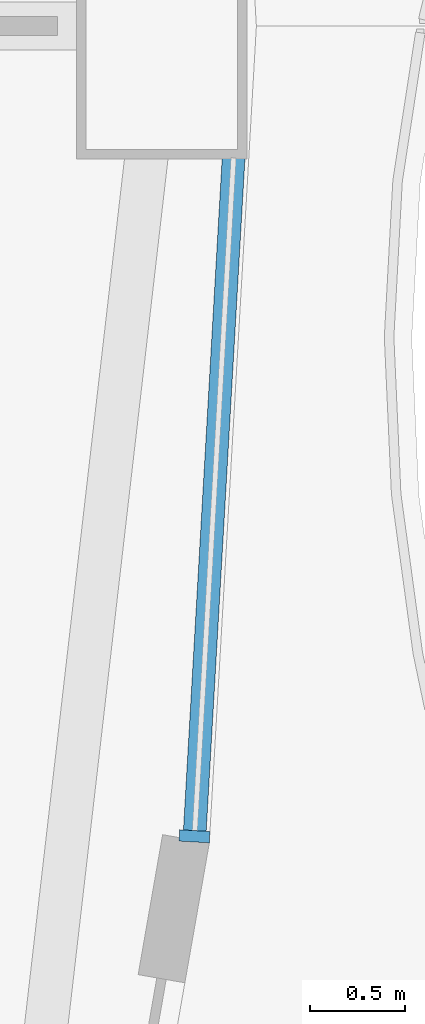
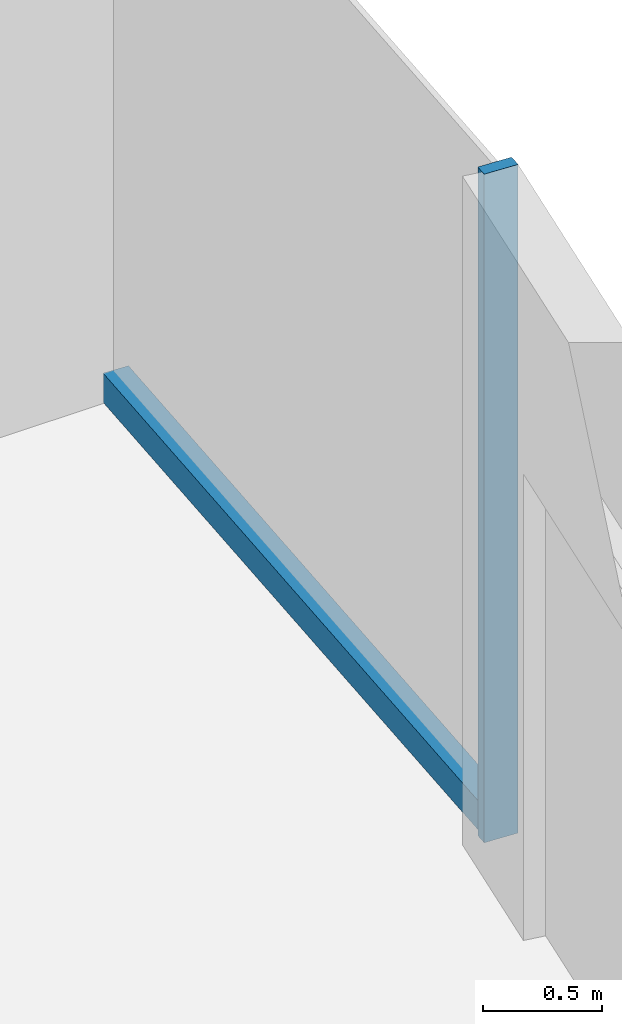
# One storey, part 6 of 22: 2 members, 1 element without a shape of its own.
"""IFC4 building model written with IfcOpenShell, lengths in metres."""

from ifc_helpers import new_model, si_unit, direction, frame, origin, origin_2d, place, context, subcontext, project, spatial, rectangle, extrude, material, layer, layer_set, material_profile, profile_set, type_object, element, aggregate, save


model = new_model("IFC4")

# Units and contexts
model_context = context("Model", 3, precision=1e-05, world=origin(), true_north=direction((0.0, 1.0)))
body_context = subcontext(model_context, "Body", "Model", "MODEL_VIEW")
ifc_project = project(units=[si_unit("LENGTHUNIT", "METRE"), si_unit("AREAUNIT", "SQUARE_METRE"), si_unit("VOLUMEUNIT", "CUBIC_METRE"), si_unit("PLANEANGLEUNIT", "RADIAN"), si_unit("MASSUNIT", "GRAM", prefix="KILO")], contexts=[model_context])

# Site, building, storey
site_placement = place(None, origin())
site = spatial("IfcSite", under=ifc_project, at=site_placement, CompositionType="ELEMENT")
building_placement = place(site_placement, origin())
building = spatial("IfcBuilding", under=site, at=building_placement, Name="Nagisa Residences", CompositionType="ELEMENT")
storey_placement = place(building_placement, frame((0.0, 0.0, 45.5)))
storey = spatial("IfcBuildingStorey", under=building, at=storey_placement, Name="L10", CompositionType="ELEMENT", Elevation=45.5)

# Curtain wall, members
ifc_material_1 = material(Name="Concrete-coloured aluminium curtain wall system", Category="concrete")
ifc_layer = layer(ifc_material_1, 0.159912109375)
ifc_layer_set = layer_set([ifc_layer], Name="CW1 CURTAIN WALL")
curtain_wall_type = type_object("IfcCurtainWallType", Name="CW1 CURTAIN WALL", PredefinedType="NOTDEFINED", material=ifc_layer_set)
curtain_wall_placement = place(storey_placement, origin())
curtain_wall = element("IfcCurtainWall", 1, at=curtain_wall_placement, inside=storey, type_object=curtain_wall_type, Name="cw:CW1:L10:47", PredefinedType="NOTDEFINED")
ifc_material_2 = material(Name="Concrete-coloured aluminium", Category="concrete")
ifc_material_profile_1 = material_profile(ifc_material_2, rectangle(XDim=0.159912109375, YDim=0.06005859375, at=origin_2d()), Name="CW1 MULLION 160x60")
ifc_profile_set_1 = profile_set([ifc_material_profile_1], Name="Concrete-coloured aluminium")
member_type_1 = type_object("IfcMemberType", Name="CW1 MULLION 160x60", PredefinedType="MULLION", material=ifc_profile_set_1)
member_1_placement = place(storey_placement, frame((32.273681640625, -4.272705078125, 0.0), z_axis=(0.0, 0.0, 1.0), x_axis=(-0.998345305184, 0.057503492216, 0.0)))
member_1 = element("IfcMember", 2, at=member_1_placement, type_object=member_type_1, Name="CW1 mullion", PredefinedType="MULLION", context=body_context, shape_type="SweptSolid", body=[
    extrude(rectangle(XDim=0.159912109375, YDim=0.06005859375, at=origin_2d()), origin(), (0.0, 0.0, 1.0), 3.43994140625),
])
ifc_material_3 = material(Name="Concrete-coloured aluminium", Category="concrete")
ifc_material_profile_2 = material_profile(ifc_material_3, rectangle(XDim=0.1201171875, YDim=0.14990234375, at=origin_2d()), Name="CW1 TRANSOM 120x150")
ifc_profile_set_2 = profile_set([ifc_material_profile_2], Name="Concrete-coloured aluminium")
member_type_2 = type_object("IfcMemberType", Name="CW1 TRANSOM 120x150", PredefinedType="USERDEFINED", material=ifc_profile_set_2)
member_2_placement = place(storey_placement, frame((32.27197265625, -4.302734375, 0.074951171875), z_axis=(0.057549926952, 0.998342629515, 0.0), x_axis=(-0.998342629515, 0.057549926952, 0.0)))
member_2 = element("IfcMember", 3, at=member_2_placement, type_object=member_type_2, Name="CW1 transom", ObjectType="TRANSOM", PredefinedType="USERDEFINED", context=body_context, shape_type="SweptSolid", body=[
    extrude(rectangle(XDim=0.1201171875, YDim=0.14990234375, at=origin_2d()), origin(), (0.0, 0.0, 1.0), 3.614501953125),
])
aggregate(curtain_wall, [member_1, member_2])

save(model, "model.ifc")
